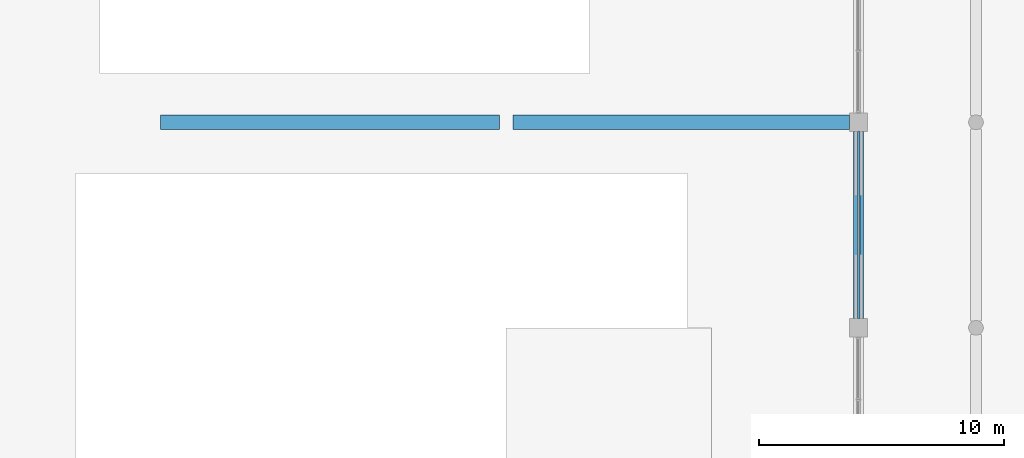
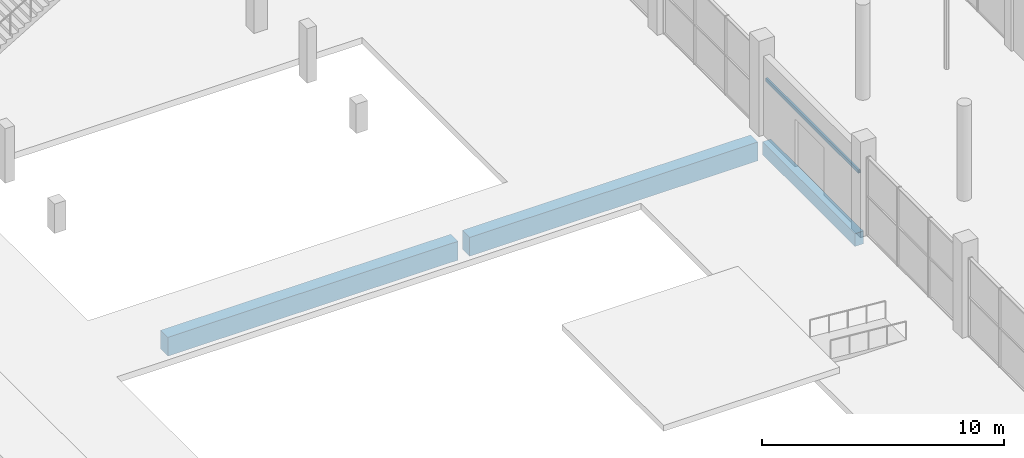
# One storey, part 50 of 130: 4 beams.
"""IFC4 building model written with IfcOpenShell, lengths in metres."""

import ifcopenshell
import ifcopenshell.guid

model = None  # the IFC model being written
_history = None  # IfcOwnerHistory: only IFC2X3 demands one
_inside = {}  # id of a spatial element -> (the spatial element, [elements in it])
_under = {}  # id of a project, library or spatial element -> (it, [spatial elements below it])
_declared = {}  # id of a project -> (the project, [libraries it declares])
_typed = {}  # id of a type object -> (the type object, [elements of that type])
_made_of = {}  # id of a material, layer set ... -> (it, [elements and type objects made of it])


def new_model(schema):
    """Start an empty IFC model of exactly this schema.

    Asked for "IFC4X3", IfcOpenShell would pick the latest addendum, in which some entities
    have other attributes; the version numbers below select the first issue.
    IFC2X3 requires an IfcOwnerHistory on every rooted entity: one is made here for all.
    """
    global model, _history
    if schema == "IFC4X3":
        model = ifcopenshell.file(schema_version=(4, 3, 0, 0))
    else:
        model = ifcopenshell.file(schema=schema)
    _inside.clear()
    _under.clear()
    _declared.clear()
    _typed.clear()
    _made_of.clear()
    _history = None
    if model.schema == "IFC2X3":
        org = make("IfcOrganization", Name="unknown")
        user = make(
            "IfcPersonAndOrganization",
            ThePerson=make("IfcPerson", FamilyName="unknown"),
            TheOrganization=org,
        )
        app = make(
            "IfcApplication",
            ApplicationDeveloper=org,
            Version="unknown",
            ApplicationFullName="unknown",
            ApplicationIdentifier="unknown",
        )
        _history = make(
            "IfcOwnerHistory",
            OwningUser=user,
            OwningApplication=app,
            ChangeAction="ADDED",
            CreationDate=0,
        )
    return model


def make(cls, **values):
    """One entity of the class cls with the attributes given. An attribute that is None is left unset."""
    return model.create_entity(
        cls, **{name: value for name, value in values.items() if value is not None}
    )


def rooted(cls, **values):
    """An entity with a GlobalId (a new one), such as an element, a storey or a relation."""
    return make(cls, GlobalId=ifcopenshell.guid.new(), OwnerHistory=_history, **values)


def si_unit(unit_type, name, prefix=None):
    """IfcSIUnit, for example si_unit("LENGTHUNIT", "METRE", prefix="MILLI")."""
    return make("IfcSIUnit", UnitType=unit_type, Prefix=prefix, Name=name)


def assignment(units):
    """IfcUnitAssignment: the units of a project."""
    return None if units is None else make("IfcUnitAssignment", Units=units)


def point(xyz):
    """IfcCartesianPoint."""
    return None if xyz is None else make("IfcCartesianPoint", Coordinates=xyz)


def direction(xyz):
    """IfcDirection."""
    return None if xyz is None else make("IfcDirection", DirectionRatios=xyz)


def frame(location, z_axis=None, x_axis=None):
    """IfcAxis2Placement3D, a coordinate frame: its origin and axes. An axis left out is left unset."""
    return make(
        "IfcAxis2Placement3D",
        Location=point(location),
        Axis=direction(z_axis),
        RefDirection=direction(x_axis),
    )


def frame_2d(location, x_axis=None):
    """IfcAxis2Placement2D, a coordinate frame in the plane: its origin and x axis."""
    return make(
        "IfcAxis2Placement2D", Location=point(location), RefDirection=direction(x_axis)
    )


def origin():
    """The frame at (0, 0, 0) with its axes left unset."""
    return frame((0.0, 0.0, 0.0))


def origin_2d():
    """The frame at (0, 0) in the plane with its x axis left unset."""
    return frame_2d((0.0, 0.0))


def place(relative_to, where):
    """IfcLocalPlacement: puts the frame where relative to a parent placement (None: the world)."""
    return make(
        "IfcLocalPlacement", PlacementRelTo=relative_to, RelativePlacement=where
    )


def context(
    kind, dimensions, precision=None, world=None, true_north=None, identifier=None
):
    """IfcGeometricRepresentationContext, for example the 3D "Model" context."""
    return make(
        "IfcGeometricRepresentationContext",
        ContextIdentifier=identifier,
        ContextType=kind,
        CoordinateSpaceDimension=dimensions,
        Precision=precision,
        WorldCoordinateSystem=world,
        TrueNorth=true_north,
    )


def subcontext(parent, identifier, kind, view, scale=None):
    """IfcGeometricRepresentationSubContext, for example "Body" below "Model"."""
    return make(
        "IfcGeometricRepresentationSubContext",
        ContextIdentifier=identifier,
        ContextType=kind,
        ParentContext=parent,
        TargetScale=scale,
        TargetView=view,
    )


def project(units=None, contexts=None):
    """IfcProject with its units and contexts."""
    return rooted(
        "IfcProject",
        Name="project",
        RepresentationContexts=contexts,
        UnitsInContext=assignment(units),
    )


def spatial(cls, under=None, at=None, **own):
    """A site, building, storey or space (cls), placed at a placement, below another one or the project."""
    s = rooted(cls, ObjectPlacement=at, **own)
    if under is not None:
        _under.setdefault(under.id(), (under, []))[1].append(s)
    return s


def profile(cls, at=None, kind="AREA", **sizes):
    """A parametric profile (cls). Its sizes go by their IFC names, for example OverallWidth=200.0."""
    return make(cls, ProfileType=kind, Position=at, **sizes)


def rectangle(**sizes):
    """IfcRectangleProfileDef."""
    return profile("IfcRectangleProfileDef", **sizes)


def hollow_rectangle(**sizes):
    """IfcRectangleHollowProfileDef."""
    return profile("IfcRectangleHollowProfileDef", **sizes)


def extrude(swept, where, along, depth):
    """IfcExtrudedAreaSolid: the profile swept, set in the frame where, extruded along a direction by depth."""
    return make(
        "IfcExtrudedAreaSolid",
        SweptArea=swept,
        Position=where,
        ExtrudedDirection=direction(along),
        Depth=depth,
    )


def shape(context_of_items, identifier, shape_type, items):
    """IfcShapeRepresentation: the items that make up one representation, for example the "Body"."""
    return make(
        "IfcShapeRepresentation",
        ContextOfItems=context_of_items,
        RepresentationIdentifier=identifier,
        RepresentationType=shape_type,
        Items=items,
    )


def material(Name=None, Category=None):
    """IfcMaterial."""
    return make("IfcMaterial", Name=Name, Category=Category)


def material_profile(
    of_material, cross_section, Name=None, Category=None, Priority=None
):
    """IfcMaterialProfile: a cross section and its material."""
    return make(
        "IfcMaterialProfile",
        Name=Name,
        Material=of_material,
        Profile=cross_section,
        Priority=Priority,
        Category=Category,
    )


def profile_set(profiles, Name=None, composite=None):
    """IfcMaterialProfileSet."""
    return make(
        "IfcMaterialProfileSet",
        Name=Name,
        MaterialProfiles=profiles,
        CompositeProfile=composite,
    )


def made_of(thing, what):
    """Note that an element or type object is made of a material, layer set ...; save() writes the relation."""
    if what is not None:
        _made_of.setdefault(what.id(), (what, []))[1].append(thing)
    return thing


def type_object(cls, material=None, **own):
    """A type object (cls), such as IfcWallType, which elements share."""
    return made_of(rooted(cls, **own), material)


def element(
    cls,
    number,
    at=None,
    inside=None,
    cuts=None,
    type_object=None,
    material=None,
    context=None,
    identifier="Body",
    shape_type=None,
    held_by="IfcProductDefinitionShape",
    body=None,
    shapes=None,
    **own,
):
    """One element of the class cls, such as IfcWall. Its Tag is "e" and its number.

    at: its placement. inside: the storey or other place that contains it. cuts: it is an
    opening in that element (IfcRelVoidsElement). A single representation is given by context,
    identifier, shape_type and body (its items); several are given by shapes. held_by: the class
    of the entity that holds the representations. save() writes the other relations.
    """
    e = rooted(cls, Tag="e%d" % number, ObjectPlacement=at, **own)
    if body is not None:
        shapes = [shape(context, identifier, shape_type, body)]
    if shapes is not None:
        e.Representation = make(held_by, Representations=shapes)
    if inside is not None:
        _inside.setdefault(inside.id(), (inside, []))[1].append(e)
    if cuts is not None:
        rooted(
            "IfcRelVoidsElement", RelatingBuildingElement=cuts, RelatedOpeningElement=e
        )
    if type_object is not None:
        _typed.setdefault(type_object.id(), (type_object, []))[1].append(e)
    return made_of(e, material)


def aggregate(whole, parts):
    """IfcRelAggregates: a whole, such as a stair, and the parts it consists of."""
    return rooted("IfcRelAggregates", RelatingObject=whole, RelatedObjects=parts)


def save(model, path):
    """Write the relations noted so far, then the file.

    IfcRelAggregates (storeys below a building ...), IfcRelContainedInSpatialStructure (elements
    in a storey), IfcRelDefinesByType, IfcRelAssociatesMaterial and IfcRelDeclares: one each for
    every whole, place, type object, material and project.
    """
    for whole, parts in _under.values():
        aggregate(whole, parts)
    for where, things in _inside.values():
        rooted(
            "IfcRelContainedInSpatialStructure",
            RelatedElements=things,
            RelatingStructure=where,
        )
    for kind, things in _typed.values():
        rooted("IfcRelDefinesByType", RelatedObjects=things, RelatingType=kind)
    for what, things in _made_of.values():
        rooted("IfcRelAssociatesMaterial", RelatedObjects=things, RelatingMaterial=what)
    for by, libraries in _declared.values():
        rooted("IfcRelDeclares", RelatingContext=by, RelatedDefinitions=libraries)
    model.write(path)


model = new_model("IFC4")

# Units and contexts
model_context = context("Model", 3, precision=1e-05, world=origin(), true_north=direction((0.0, 1.0)))
body_context = subcontext(model_context, "Body", "Model", "MODEL_VIEW")
ifc_project = project(units=[si_unit("LENGTHUNIT", "METRE"), si_unit("AREAUNIT", "SQUARE_METRE"), si_unit("VOLUMEUNIT", "CUBIC_METRE"), si_unit("PLANEANGLEUNIT", "RADIAN"), si_unit("MASSUNIT", "GRAM", prefix="KILO"), si_unit("THERMODYNAMICTEMPERATUREUNIT", "KELVIN")], contexts=[model_context])

# Site, building, storey
site_placement = place(None, origin())
site = spatial("IfcSite", under=ifc_project, at=site_placement, CompositionType="ELEMENT")
building_placement = place(site_placement, origin())
building = spatial("IfcBuilding", under=site, at=building_placement, Name="Nduvali Passage Aquatics Centre", CompositionType="ELEMENT")
storey_placement = place(building_placement, origin())
storey = spatial("IfcBuildingStorey", under=building, at=storey_placement, Name="L00", CompositionType="ELEMENT", Elevation=0.0)

# Beams
ifc_material_1 = material(Name="Concrete C40/50", Category="concrete")
ifc_material_profile_1 = material_profile(ifc_material_1, rectangle(XDim=0.60009765625, YDim=0.949951171875, at=origin_2d()), Name="RC 600x950")
ifc_profile_set_1 = profile_set([ifc_material_profile_1], Name="Concrete C40/50")
beam_type_1 = type_object("IfcBeamType", Name="STR-BM-RC6095", PredefinedType="BEAM", material=ifc_profile_set_1)
beam_1_placement = place(storey_placement, frame((97.47509765625, 67.199951171875, -0.794921875), z_axis=(1.0, 0.0, 0.0), x_axis=(0.0, 1.0, 0.0)))
element("IfcBeam", 1, at=beam_1_placement, inside=storey, type_object=beam_type_1, Name="L00 Primary X-Girder B1-0057", PredefinedType="BEAM", context=body_context, shape_type="SweptSolid", body=[
    extrude(rectangle(XDim=0.60009765625, YDim=0.949951171875, at=origin_2d()), origin(), (0.0, 0.0, 1.0), 13.849853515625),
])
beam_2_placement = place(storey_placement, frame((111.875, 67.199951171875, -0.794921875), z_axis=(1.0, 0.0, 0.0), x_axis=(0.0, 1.0, 0.0)))
element("IfcBeam", 2, at=beam_2_placement, inside=storey, type_object=beam_type_1, Name="L00 Primary X-Girder B1-0058", PredefinedType="BEAM", context=body_context, shape_type="SweptSolid", body=[
    extrude(rectangle(XDim=0.60009765625, YDim=0.949951171875, at=origin_2d()), origin(), (0.0, 0.0, 1.0), 13.75),
])
ifc_material_2 = material(Name="Steel S355", Category="steel")
ifc_material_profile_2 = material_profile(ifc_material_2, hollow_rectangle(XDim=0.10009765625, YDim=0.179931640625, WallThickness=0.00634765625, at=origin_2d()), Name="RHS 180x100x6.3")
ifc_profile_set_2 = profile_set([ifc_material_profile_2], Name="Steel S355")
beam_type_2 = type_object("IfcBeamType", Name="STR-LNT-RHS180-EXT", PredefinedType="LINTEL", material=ifc_profile_set_2)
beam_3_placement = place(storey_placement, frame((126.0, 59.175048828125, 2.75), z_axis=(0.0, 1.0, 0.0), x_axis=(-1.0, 0.0, 0.0)))
element("IfcBeam", 3, at=beam_3_placement, inside=storey, type_object=beam_type_2, Name="Pool Hall Central Passage Portal Lintel", PredefinedType="LINTEL", context=body_context, shape_type="SweptSolid", body=[
    extrude(hollow_rectangle(XDim=0.10009765625, YDim=0.179931640625, WallThickness=0.00634765625, at=origin_2d()), origin(), (0.0, 0.0, 1.0), 7.64990234375),
])
ifc_material_profile_3 = material_profile(ifc_material_1, rectangle(XDim=0.39990234375, YDim=0.64990234375, at=origin_2d()), Name="RC 400x650")
ifc_profile_set_3 = profile_set([ifc_material_profile_3], Name="Concrete C40/50")
beam_type_3 = type_object("IfcBeamType", Name="STR-SPN-RC4065-EXT", PredefinedType="SPANDREL", material=ifc_profile_set_3)
beam_4_placement = place(storey_placement, frame((126.0, 59.175048828125, -0.64501953125), z_axis=(0.0, 1.0, 0.0), x_axis=(-1.0, 0.0, 0.0)))
element("IfcBeam", 4, at=beam_4_placement, inside=storey, type_object=beam_type_3, Name="L00 Primary Y-Girder SP1E-0194", PredefinedType="SPANDREL", context=body_context, shape_type="SweptSolid", body=[
    extrude(rectangle(XDim=0.39990234375, YDim=0.64990234375, at=origin_2d()), origin(), (0.0, 0.0, 1.0), 7.64990234375),
])

save(model, "model.ifc")
